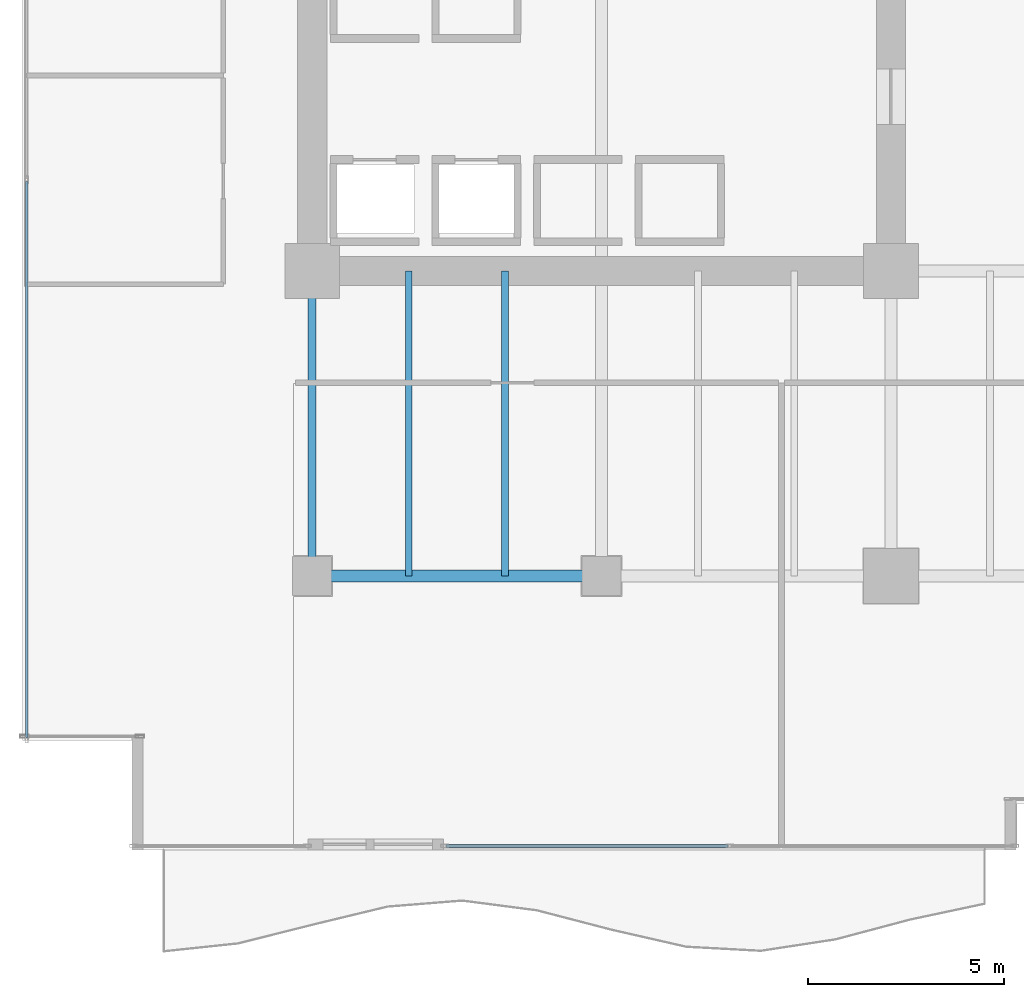
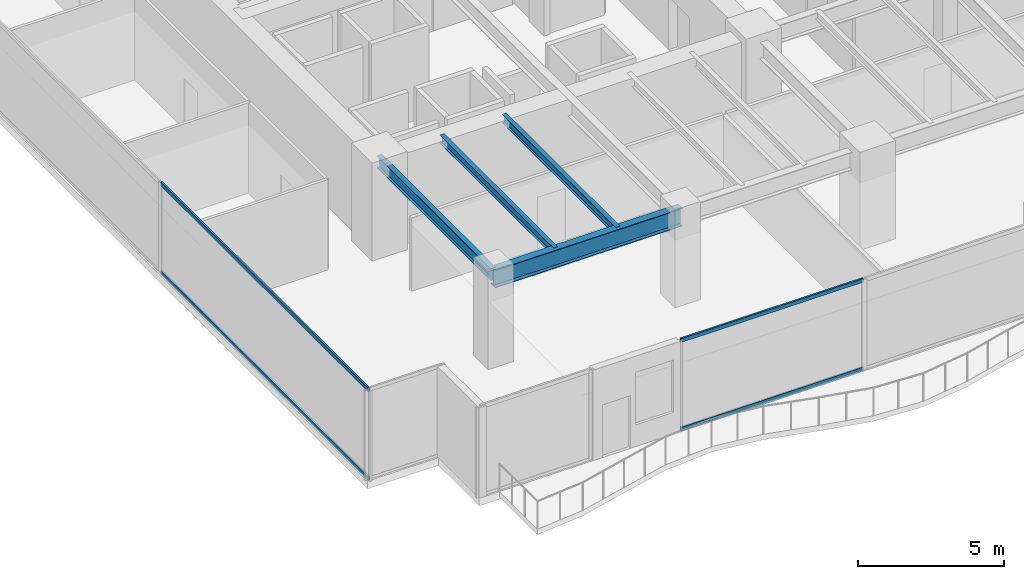
# One storey, part 3 of 32: 4 beams, 4 members, 2 elements without a shape of their own.
"""IFC4 building model written with IfcOpenShell, lengths in metres."""

from ifc_helpers import new_model, si_unit, direction, frame, origin, origin_2d, place, context, subcontext, project, spatial, hollow_rectangle, i_section, extrude, source, transform, mapped, material, layer, layer_set, material_profile, profile_set, type_object, type_shapes, element, aggregate, save


model = new_model("IFC4")

# Units and contexts
model_context = context("Model", 3, precision=1e-05, world=origin(), true_north=direction((0.0, 1.0)))
body_context = subcontext(model_context, "Body", "Model", "MODEL_VIEW")
ifc_project = project(units=[si_unit("LENGTHUNIT", "METRE"), si_unit("AREAUNIT", "SQUARE_METRE"), si_unit("VOLUMEUNIT", "CUBIC_METRE"), si_unit("PLANEANGLEUNIT", "RADIAN"), si_unit("MASSUNIT", "GRAM", prefix="KILO")], contexts=[model_context])

# Site, building, storey
site_placement = place(None, origin())
site = spatial("IfcSite", under=ifc_project, at=site_placement, CompositionType="ELEMENT")
building_placement = place(site_placement, origin())
building = spatial("IfcBuilding", under=site, at=building_placement, Name="Haelvirn Gate Laboratories", CompositionType="ELEMENT")
storey_placement = place(building_placement, frame((0.0, 0.0, 33.39990234375)))
storey = spatial("IfcBuildingStorey", under=building, at=storey_placement, Name="L08", CompositionType="ELEMENT", Elevation=33.39990234375)

# Beams
ifc_material_1 = material(Name="Steel SM355", Category="steel")
ifc_material_profile_1 = material_profile(ifc_material_1, i_section(OverallWidth=0.300048828125, OverallDepth=0.75, WebThickness=0.013916015625, FlangeThickness=0.02392578125, at=origin_2d()), Name="H-750x300x14x24")
ifc_profile_set_1 = profile_set([ifc_material_profile_1], Name="Steel SM355")
beam_type_1 = type_object("IfcBeamType", Name="BM-G-750", PredefinedType="BEAM", material=ifc_profile_set_1)
shared_shape_1 = source(origin(), body_context, "Body", "SweptSolid", [
    extrude(i_section(OverallWidth=0.300048828125, OverallDepth=0.75, WebThickness=0.013916015625, FlangeThickness=0.02392578125, at=origin_2d()), origin(), (0.0, 0.0, 1.0), 7.400146484375),
])
type_shapes(beam_type_1, [shared_shape_1])
beam_1_placement = place(storey_placement, frame((7.39990234375, 7.0, 3.405029296875), z_axis=(1.0, 0.0, 0.0), x_axis=(0.0, 1.0, 0.0)))
element("IfcBeam", 1, at=beam_1_placement, inside=storey, type_object=beam_type_1, Name="L08 Primary Girder Y7.0 (7.4-14.8)", PredefinedType="BEAM", context=body_context, shape_type="MappedRepresentation", body=[
    mapped(shared_shape_1, transform((0.0, 0.0, 0.0), scale=1.0)),
])
ifc_material_profile_2 = material_profile(ifc_material_1, i_section(OverallWidth=0.199951171875, OverallDepth=0.5, WebThickness=0.010009765625, FlangeThickness=0.01611328125, at=origin_2d()), Name="H-500x200x10x16")
ifc_profile_set_2 = profile_set([ifc_material_profile_2], Name="Steel SM355")
beam_type_2 = type_object("IfcBeamType", Name="BM-SP-500", PredefinedType="SPANDREL", material=ifc_profile_set_2)
shared_shape_2 = source(origin(), body_context, "Body", "SweptSolid", [
    extrude(i_section(OverallWidth=0.199951171875, OverallDepth=0.5, WebThickness=0.010009765625, FlangeThickness=0.01611328125, at=origin_2d()), origin(), (0.0, 0.0, 1.0), 7.800048828125),
])
type_shapes(beam_type_2, [shared_shape_2])
beam_2_placement = place(storey_placement, frame((7.39990234375, 7.0, 3.530029296875), z_axis=(0.0, 1.0, 0.0), x_axis=(-1.0, 0.0, 0.0)))
element("IfcBeam", 2, at=beam_2_placement, inside=storey, type_object=beam_type_2, Name="L08 Perimeter Spandrel X7.4 (7.0-14.8)", PredefinedType="SPANDREL", context=body_context, shape_type="MappedRepresentation", body=[
    mapped(shared_shape_2, transform((0.0, 0.0, 0.0), scale=1.0)),
])
ifc_material_profile_3 = material_profile(ifc_material_1, i_section(OverallWidth=0.175048828125, OverallDepth=0.35009765625, WebThickness=0.007080078125, FlangeThickness=0.010986328125, at=origin_2d()), Name="H-350x175x7x11")
ifc_profile_set_3 = profile_set([ifc_material_profile_3], Name="Steel SM355")
beam_type_3 = type_object("IfcBeamType", Name="BM-J-350", PredefinedType="JOIST", material=ifc_profile_set_3)
shared_shape_3 = source(origin(), body_context, "Body", "SweptSolid", [
    extrude(i_section(OverallWidth=0.175048828125, OverallDepth=0.35009765625, WebThickness=0.007080078125, FlangeThickness=0.010986328125, at=origin_2d()), origin(), (0.0, 0.0, 1.0), 7.800048828125),
])
type_shapes(beam_type_3, [shared_shape_3])
for number, where, z_axis, x_axis, name in (
    (3, (9.8701171875, 7.0, 3.60498046875), (0.0, 1.0, 0.0), (-1.0, 0.0, 0.0), "L08 Composite Lab Joist South X9.87"),
    (4, (12.330078125, 7.0, 3.60498046875), (0.0, 1.0, 0.0), (-1.0, 0.0, 0.0), "L08 Composite Lab Joist South X12.33"),
):
    element("IfcBeam", number, at=place(storey_placement, frame(where, z_axis=z_axis, x_axis=x_axis)), inside=storey, type_object=beam_type_3, Name=name, PredefinedType="JOIST", context=body_context, shape_type="MappedRepresentation", body=[
        mapped(shared_shape_3, transform((0.0, 0.0, 0.0), scale=1.0)),
    ])

# Curtain wall, members
ifc_material_2 = material(Name="Anodised bronze unitised aluminium & triple low-E glass", Category="aluminium")
ifc_layer = layer(ifc_material_2, 0.18408203125, Name="CW-SYS-2")
ifc_layer_set = layer_set([ifc_layer], Name="Anodised bronze unitised aluminium & triple low-E glass")
curtain_wall_type = type_object("IfcCurtainWallType", Name="CW-SYS-2", PredefinedType="NOTDEFINED", material=ifc_layer_set)
curtain_wall_1_placement = place(storey_placement, origin())
curtain_wall_1 = element("IfcCurtainWall", 5, at=curtain_wall_1_placement, inside=storey, type_object=curtain_wall_type, Name="L08 Unitised Curtain Wall CW-L08-P0-E17", PredefinedType="NOTDEFINED")
ifc_material_3 = material(Name="Extruded aluminium 6063-T6 (anodised bronze)", Category="aluminium")
ifc_material_profile_4 = material_profile(ifc_material_3, hollow_rectangle(XDim=0.070068359375, YDim=0.159912109375, WallThickness=0.0048828125, at=origin_2d()), Name="CWT-160x70x5")
ifc_profile_set_4 = profile_set([ifc_material_profile_4], Name="Extruded aluminium 6063-T6 (anodised bronze)")
member_type = type_object("IfcMemberType", Name="CWT-T160", PredefinedType="USERDEFINED", material=ifc_profile_set_4)
shared_shape_4 = source(origin(), body_context, "Body", "SweptSolid", [
    extrude(hollow_rectangle(XDim=0.070068359375, YDim=0.159912109375, WallThickness=0.0048828125, at=origin_2d()), origin(), (0.0, 0.0, 1.0), 14.220947265625),
])
member_1_placement = place(storey_placement, frame((0.10009765625, 17.095947265625, 0.03515625), z_axis=(0.0, -1.0, 0.0), x_axis=(1.0, 0.0, 0.0)))
member_1 = element("IfcMember", 6, at=member_1_placement, type_object=member_type, Name="CW2 transom 3.1", ObjectType="TRANSOM", PredefinedType="USERDEFINED", context=body_context, shape_type="MappedRepresentation", body=[
    mapped(shared_shape_4, transform((0.0, 0.0, 0.0), scale=1.0)),
])
member_2_placement = place(storey_placement, frame((0.10009765625, 17.095947265625, 3.7451171875), z_axis=(0.0, -1.0, 0.0), x_axis=(1.0, 0.0, 0.0)))
member_2 = element("IfcMember", 7, at=member_2_placement, type_object=member_type, Name="CW2 transom 3.2", ObjectType="TRANSOM", PredefinedType="USERDEFINED", context=body_context, shape_type="MappedRepresentation", body=[
    mapped(shared_shape_4, transform((0.0, 0.0, 0.0), scale=1.0)),
])
aggregate(curtain_wall_1, [member_1, member_2])

curtain_wall_2_placement = place(storey_placement, origin())
curtain_wall_2 = element("IfcCurtainWall", 8, at=curtain_wall_2_placement, inside=storey, type_object=curtain_wall_type, Name="L08 Unitised Curtain Wall CW-L08-P0-E00-2", PredefinedType="NOTDEFINED")
shared_shape_5 = source(origin(), body_context, "Body", "SweptSolid", [
    extrude(hollow_rectangle(XDim=0.070068359375, YDim=0.159912109375, WallThickness=0.0048828125, at=origin_2d()), origin(), (0.0, 0.0, 1.0), 7.212646484375),
])
type_shapes(member_type, [shared_shape_4, shared_shape_5])
member_3_placement = place(storey_placement, frame((10.824951171875, 0.10009765625, 0.03515625), z_axis=(1.0, 0.0, 0.0), x_axis=(0.0, 1.0, 0.0)))
member_3 = element("IfcMember", 9, at=member_3_placement, type_object=member_type, Name="CW2 transom 1.1", ObjectType="TRANSOM", PredefinedType="USERDEFINED", context=body_context, shape_type="MappedRepresentation", body=[
    mapped(shared_shape_5, transform((0.0, 0.0, 0.0), scale=1.0)),
])
member_4_placement = place(storey_placement, frame((10.824951171875, 0.10009765625, 3.7451171875), z_axis=(1.0, 0.0, 0.0), x_axis=(0.0, 1.0, 0.0)))
member_4 = element("IfcMember", 10, at=member_4_placement, type_object=member_type, Name="CW2 transom 1.2", ObjectType="TRANSOM", PredefinedType="USERDEFINED", context=body_context, shape_type="MappedRepresentation", body=[
    mapped(shared_shape_5, transform((0.0, 0.0, 0.0), scale=1.0)),
])
aggregate(curtain_wall_2, [member_3, member_4])

save(model, "model.ifc")
